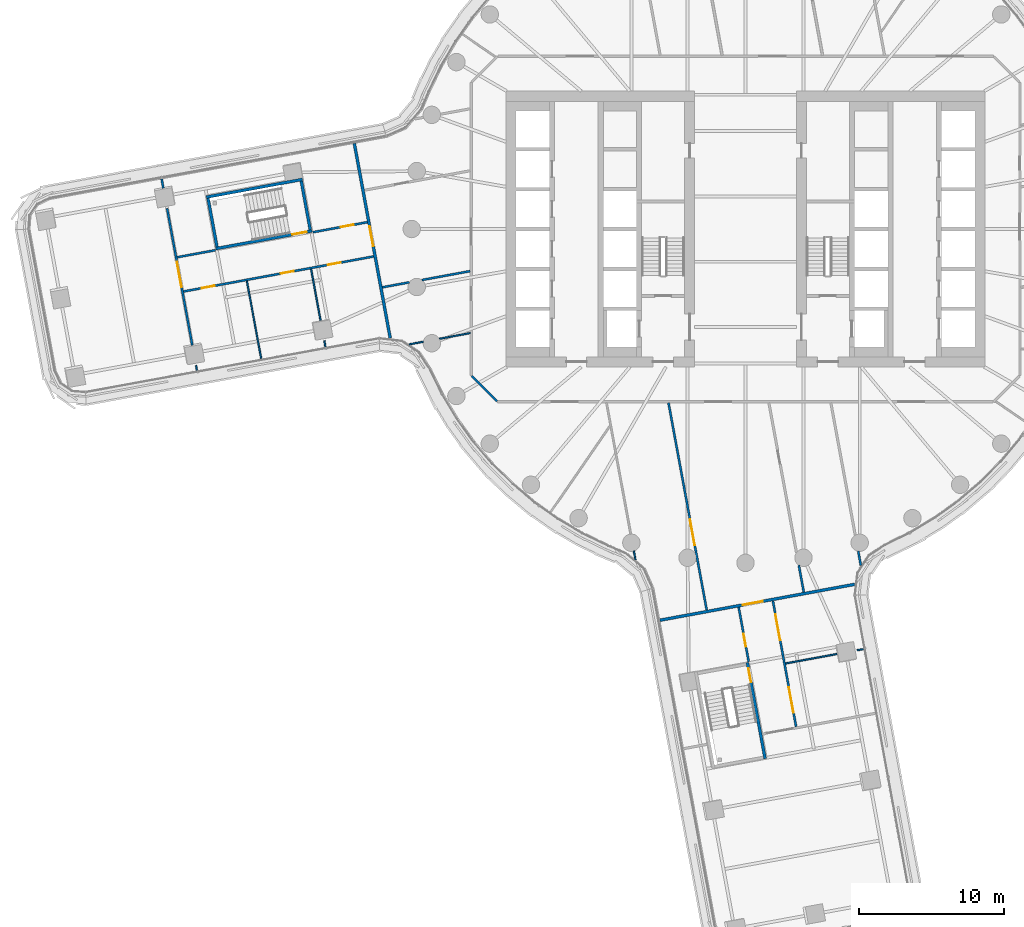
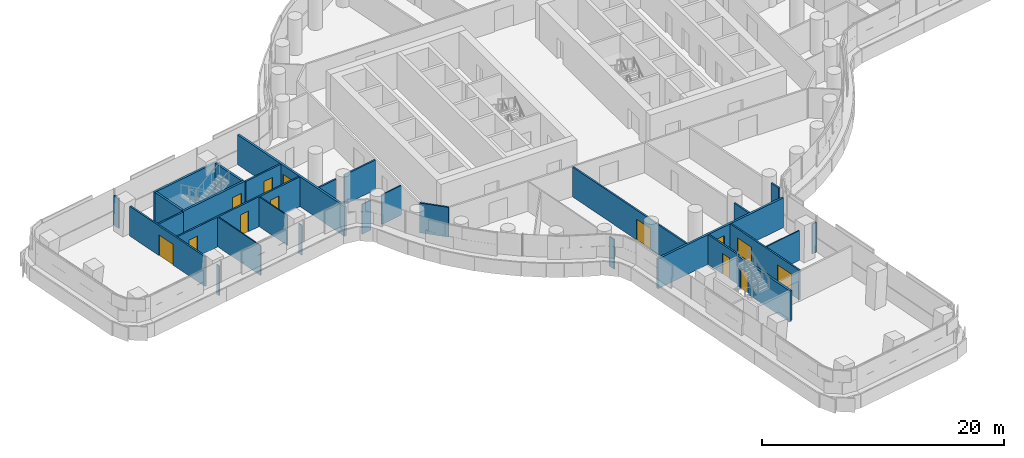
# One storey, part 20 of 33: 29 walls, 13 doors, 13 openings.
"""IFC4 building model written with IfcOpenShell, lengths in metres."""

from ifc_helpers import new_model, si_unit, direction, frame, frame_2d, origin, place, context, subcontext, project, spatial, polyline, rectangle, outline, extrude, material, layer, layer_set, type_object, element, fill, save


model = new_model("IFC4")

# Units and contexts
model_context = context("Model", 3, precision=1e-05, world=origin(), true_north=direction((0.0, 1.0)))
body_context = subcontext(model_context, "Body", "Model", "MODEL_VIEW")
ifc_project = project(units=[si_unit("LENGTHUNIT", "METRE"), si_unit("AREAUNIT", "SQUARE_METRE"), si_unit("VOLUMEUNIT", "CUBIC_METRE"), si_unit("PLANEANGLEUNIT", "RADIAN"), si_unit("MASSUNIT", "GRAM", prefix="KILO")], contexts=[model_context])

# Site, building, storey
site_placement = place(None, origin())
site = spatial("IfcSite", under=ifc_project, at=site_placement, CompositionType="ELEMENT")
building_placement = place(site_placement, origin())
building = spatial("IfcBuilding", under=site, at=building_placement, Name="Tamarind Cross Interchange Tower", CompositionType="ELEMENT")
storey_placement = place(building_placement, frame((0.0, 0.0, 71.5)))
storey = spatial("IfcBuildingStorey", under=building, at=storey_placement, Name="L16", CompositionType="ELEMENT", Elevation=71.5)

# Walls
ifc_material_1 = material(Name="Gypsum board partition on steel studs", Category="steel")
ifc_layer_1 = layer(ifc_material_1, 0.10009765625)
ifc_layer_set_1 = layer_set([ifc_layer_1], Name="Gypsum board partition on steel studs")
wall_type_1 = type_object("IfcWallType", Name="Partition 100 mm EI 90", PredefinedType="PARTITIONING", material=ifc_layer_set_1)
wall_1_placement = place(storey_placement, frame((-37.85791015625, -9.400390625, 0.0), z_axis=(0.0, 0.0, 1.0), x_axis=(0.181472778981, -0.98339596831, 0.0)))
element("IfcWall", 1, at=wall_1_placement, inside=storey, type_object=wall_type_1, Name="Partition L16-003", PredefinedType="PARTITIONING", context=body_context, shape_type="SweptSolid", body=[
    extrude(rectangle(XDim=0.34033203125, YDim=0.10009765625, at=frame_2d((0.170166015625, 0.0))), origin(), (0.0, 0.0, 1.0), 3.010009765625),
])
wall_2_placement = place(storey_placement, frame((-34.3564453125, -3.57470703125, 0.0), z_axis=(0.0, 0.0, 1.0), x_axis=(0.181301776805, -0.983427509137, 0.0)))
element("IfcWall", 2, at=wall_2_placement, inside=storey, type_object=wall_type_1, Name="Partition L16-004", PredefinedType="PARTITIONING", context=body_context, shape_type="SweptSolid", body=[
    extrude(rectangle(XDim=5.440185546875, YDim=0.10009765625, at=frame_2d((2.72021484375, 0.0))), origin(), (0.0, 0.0, 1.0), 3.010009765625),
])
wall_3_placement = place(storey_placement, frame((-29.931396484375, -2.7587890625, 0.0), z_axis=(0.0, 0.0, 1.0), x_axis=(0.181488912805, -0.983392990889, 0.0)))
element("IfcWall", 3, at=wall_3_placement, inside=storey, type_object=wall_type_1, Name="Partition L16-005", PredefinedType="PARTITIONING", context=body_context, shape_type="SweptSolid", body=[
    extrude(rectangle(XDim=3.59716796875, YDim=0.10009765625, at=frame_2d((1.798583984375, 0.0))), origin(), (0.0, 0.0, 1.0), 3.010009765625),
])
wall_4_placement = place(storey_placement, frame((-29.02197265625, -7.6875, 0.0), z_axis=(0.0, 0.0, 1.0), x_axis=(0.181706497485, -0.983352809917, 0.0)))
element("IfcWall", 4, at=wall_4_placement, inside=storey, type_object=wall_type_1, Name="Partition L16-006", PredefinedType="PARTITIONING", context=body_context, shape_type="SweptSolid", body=[
    extrude(rectangle(XDim=0.43408203125, YDim=0.10009765625, at=frame_2d((0.217041015625, 0.0))), origin(), (0.0, 0.0, 1.0), 3.010009765625),
])
wall_5_placement = place(storey_placement, frame((-7.695068359375, -22.177001953125, 0.0), z_axis=(0.0, 0.0, 1.0), x_axis=(0.18134264325, -0.983419974242, 0.0)))
element("IfcWall", 5, at=wall_5_placement, inside=storey, type_object=wall_type_1, Name="Partition L16-009", PredefinedType="PARTITIONING", context=body_context, shape_type="SweptSolid", body=[
    extrude(rectangle(XDim=0.62060546875, YDim=0.10009765625, at=frame_2d((0.310302734375, 0.0))), origin(), (0.0, 0.0, 1.0), 3.010009765625),
])
wall_6_placement = place(storey_placement, frame((-23.169189453125, -7.94384765625, 0.0), z_axis=(0.0, 0.0, 1.0), x_axis=(0.983393015188, 0.181488781138, 0.0)))
element("IfcWall", 6, at=wall_6_placement, inside=storey, type_object=wall_type_1, Name="Partition L16-047", PredefinedType="PARTITIONING", context=body_context, shape_type="SweptSolid", body=[
    extrude(rectangle(XDim=0.989990234375, YDim=0.10009765625, at=frame_2d((0.4951171875, 0.0))), origin(), (0.0, 0.0, 1.0), 3.010009765625),
])
wall_7_placement = place(storey_placement, frame((-21.086669921875, -7.5595703125, 0.0), z_axis=(0.0, 0.0, 1.0), x_axis=(0.983393076066, 0.181488451272, 0.0)))
element("IfcWall", 7, at=wall_7_placement, inside=storey, type_object=wall_type_1, Name="Partition L16-048", PredefinedType="PARTITIONING", context=body_context, shape_type="SweptSolid", body=[
    extrude(rectangle(XDim=2.153564453125, YDim=0.10009765625, at=frame_2d((1.07666015625, 0.0))), origin(), (0.0, 0.0, 1.0), 3.010009765625),
])
wall_8_placement = place(storey_placement, frame((2.7587890625, -29.931396484375, 0.0), z_axis=(0.0, 0.0, 1.0), x_axis=(0.983392990889, 0.181488912805, 0.0)))
element("IfcWall", 8, at=wall_8_placement, inside=storey, type_object=wall_type_1, Name="Partition L16-059", PredefinedType="PARTITIONING", context=body_context, shape_type="SweptSolid", body=[
    extrude(rectangle(XDim=3.59716796875, YDim=0.10009765625, at=frame_2d((1.798583984375, 0.0))), origin(), (0.0, 0.0, 1.0), 3.010009765625),
])
wall_9_placement = place(storey_placement, frame((7.6875, -29.02197265625, 0.0), z_axis=(0.0, 0.0, 1.0), x_axis=(0.983352809917, 0.181706497485, 0.0)))
element("IfcWall", 9, at=wall_9_placement, inside=storey, type_object=wall_type_1, Name="Partition L16-060", PredefinedType="PARTITIONING", context=body_context, shape_type="SweptSolid", body=[
    extrude(rectangle(XDim=0.43408203125, YDim=0.10009765625, at=frame_2d((0.217041015625, 0.0))), origin(), (0.0, 0.0, 1.0), 3.010009765625),
])
ifc_layer_2 = layer(ifc_material_1, 0.14990234375)
ifc_layer_set_2 = layer_set([ifc_layer_2], Name="Gypsum board partition on steel studs")
wall_type_2 = type_object("IfcWallType", Name="Partition 150 mm EI 120", PredefinedType="PARTITIONING", material=ifc_layer_set_2)
wall_10_placement = place(storey_placement, frame((-40.227783203125, 3.45068359375, 0.0), z_axis=(0.0, 0.0, 1.0), x_axis=(0.181412529081, -0.983407084728, 0.0)))
element("IfcWall", 10, at=wall_10_placement, inside=storey, type_object=wall_type_2, Name="Partition L16-001", PredefinedType="PARTITIONING", context=body_context, shape_type="SweptSolid", body=[
    extrude(rectangle(XDim=0.64599609375, YDim=0.14990234375, at=frame_2d((0.322998046875, 0.0))), origin(), (0.0, 0.0, 1.0), 3.010009765625),
])

# Wall, opening, door
wall_11_placement = place(storey_placement, frame((-39.85400390625, 1.42431640625, 0.0), z_axis=(0.0, 0.0, 1.0), x_axis=(0.181341865432, -0.983420117672, 0.0)))
wall_11 = element("IfcWall", 11, at=wall_11_placement, inside=storey, type_object=wall_type_2, Name="Partition L16-002", PredefinedType="PARTITIONING", context=body_context, shape_type="SweptSolid", body=[
    extrude(rectangle(XDim=9.59228515625, YDim=0.14990234375, at=frame_2d((4.796142578125, 0.0))), origin(), (0.0, 0.0, 1.0), 3.010009765625),
])
opening_1_placement = place(wall_11_placement, frame((3.73828125, 0.0, 0.0)))
opening_1 = element("IfcOpeningElement", 12, at=opening_1_placement, cuts=wall_11, Name="Opening D01", PredefinedType="OPENING", context=body_context, shape_type="SweptSolid", body=[
    extrude(rectangle(XDim=1.800048828125, YDim=2.10009765625, at=frame_2d((0.89990234375, 1.050048828125))), frame((0.0, 0.0849609375, 0.0), z_axis=(0.0, -1.0, 0.0), x_axis=(1.0, 0.0, 0.0)), (0.0, 0.0, 1.0), 0.169921875),
])
ifc_material_2 = material(Name="Fire-resisting door set")
door_type_1 = type_object("IfcDoorType", Name="Interior door 1800 x 2100 FD60S", OperationType="DOUBLE_DOOR_SINGLE_SWING", PredefinedType="DOOR", material=ifc_material_2)
door_1_placement = place(opening_1_placement, origin())
door_1 = element("IfcDoor", 13, at=door_1_placement, inside=storey, type_object=door_type_1, Name="Door D01", OperationType="DOUBLE_DOOR_SINGLE_SWING", OverallHeight=2.10009765625, OverallWidth=1.800048828125, PredefinedType="DOOR", context=body_context, shape_type="SweptSolid", body=[
    extrude(rectangle(XDim=1.800048828125, YDim=2.10009765625, at=frame_2d((0.89990234375, 1.050048828125))), frame((0.0, 0.02490234375, 0.0), z_axis=(0.0, -1.0, 0.0), x_axis=(1.0, 0.0, 0.0)), (0.0, 0.0, 1.0), 0.050048828125),
])
fill(opening_1, door_1)

wall_12_placement = place(storey_placement, frame((-5.307373046875, -11.96875, 0.0), z_axis=(0.0, 0.0, 1.0), x_axis=(0.181322879847, -0.983423618409, 0.0)))
wall_12 = element("IfcWall", 14, at=wall_12_placement, inside=storey, type_object=wall_type_2, Name="Partition L16-013", PredefinedType="PARTITIONING", context=body_context, shape_type="SweptSolid", body=[
    extrude(rectangle(XDim=14.522705078125, YDim=0.14990234375, at=frame_2d((7.26123046875, 0.0))), origin(), (0.0, 0.0, 1.0), 3.010009765625),
])
opening_2_placement = place(wall_12_placement, frame((8.179931640625, 0.0, 0.0)))
opening_2 = element("IfcOpeningElement", 15, at=opening_2_placement, cuts=wall_12, Name="Opening D03", PredefinedType="OPENING", context=body_context, shape_type="SweptSolid", body=[
    extrude(rectangle(XDim=1.800048828125, YDim=2.10009765625, at=frame_2d((0.89990234375, 1.050048828125))), frame((0.0, 0.0849609375, 0.0), z_axis=(0.0, -1.0, 0.0), x_axis=(1.0, 0.0, 0.0)), (0.0, 0.0, 1.0), 0.169921875),
])
door_2_placement = place(opening_2_placement, frame((1.800048828125, 0.0, 0.0), z_axis=(0.0, 0.0, 1.0), x_axis=(-1.0, 0.0, 0.0)))
door_2 = element("IfcDoor", 16, at=door_2_placement, inside=storey, type_object=door_type_1, Name="Door D03", OperationType="DOUBLE_DOOR_SINGLE_SWING", OverallHeight=2.10009765625, OverallWidth=1.800048828125, PredefinedType="DOOR", context=body_context, shape_type="SweptSolid", body=[
    extrude(rectangle(XDim=1.800048828125, YDim=2.10009765625, at=frame_2d((0.89990234375, 1.050048828125))), frame((0.0, 0.02490234375, 0.0), z_axis=(0.0, -1.0, 0.0), x_axis=(1.0, 0.0, 0.0)), (0.0, 0.0, 1.0), 0.050048828125),
])
fill(opening_2, door_2)

wall_13_placement = place(storey_placement, frame((-0.472900390625, -26.05322265625, 0.0), z_axis=(0.0, 0.0, 1.0), x_axis=(0.181424012599, -0.983404966254, 0.0)))
wall_13 = element("IfcWall", 17, at=wall_13_placement, inside=storey, type_object=wall_type_2, Name="Partition L16-019", PredefinedType="PARTITIONING", context=body_context, shape_type="SweptSolid", body=[
    extrude(rectangle(XDim=3.824462890625, YDim=0.14990234375, at=frame_2d((1.912109375, 0.0))), origin(), (0.0, 0.0, 1.0), 3.010009765625),
])
opening_3_placement = place(wall_13_placement, frame((1.85009765625, 0.0, 0.0)))
opening_3 = element("IfcOpeningElement", 18, at=opening_3_placement, cuts=wall_13, Name="Opening D09", PredefinedType="OPENING", context=body_context, shape_type="SweptSolid", body=[
    extrude(rectangle(XDim=0.89990234375, YDim=2.10009765625, at=frame_2d((0.449951171875, 1.050048828125))), frame((0.0, 0.0849609375, 0.0), z_axis=(0.0, -1.0, 0.0), x_axis=(1.0, 0.0, 0.0)), (0.0, 0.0, 1.0), 0.169921875),
])
door_type_2 = type_object("IfcDoorType", Name="Interior door 900 x 2100 FD60S", OperationType="SINGLE_SWING_LEFT", PredefinedType="DOOR", material=ifc_material_2)
door_3_placement = place(opening_3_placement, frame((0.89990234375, 0.0, 0.0), z_axis=(0.0, 0.0, 1.0), x_axis=(-1.0, 0.0, 0.0)))
door_3 = element("IfcDoor", 19, at=door_3_placement, inside=storey, type_object=door_type_2, Name="Door D09", OperationType="SINGLE_SWING_RIGHT", OverallHeight=2.10009765625, OverallWidth=0.89990234375, PredefinedType="DOOR", context=body_context, shape_type="SweptSolid", body=[
    extrude(rectangle(XDim=0.89990234375, YDim=2.10009765625, at=frame_2d((0.449951171875, 1.050048828125))), frame((0.0, 0.02490234375, 0.0), z_axis=(0.0, -1.0, 0.0), x_axis=(1.0, 0.0, 0.0)), (0.0, 0.0, 1.0), 0.050048828125),
])
fill(opening_3, door_3)

# Wall
wall_14_placement = place(storey_placement, frame((3.671875, -23.161865234375, 0.0), z_axis=(0.0, 0.0, 1.0), x_axis=(0.181372706015, -0.983414430194, 0.0)))
element("IfcWall", 20, at=wall_14_placement, inside=storey, type_object=wall_type_2, Name="Partition L16-021", PredefinedType="PARTITIONING", context=body_context, shape_type="SweptSolid", body=[
    extrude(rectangle(XDim=1.89111328125, YDim=0.14990234375, at=frame_2d((0.945556640625, 0.0))), origin(), (0.0, 0.0, 1.0), 3.010009765625),
])

# Wall, openings, doors
wall_15_placement = place(storey_placement, frame((1.887939453125, -25.622314453125, 0.0), z_axis=(0.0, 0.0, 1.0), x_axis=(0.181351342981, -0.983418369972, 0.0)))
wall_15 = element("IfcWall", 21, at=wall_15_placement, inside=storey, type_object=wall_type_2, Name="Partition L16-022", PredefinedType="PARTITIONING", context=body_context, shape_type="SweptSolid", body=[
    extrude(rectangle(XDim=8.815185546875, YDim=0.14990234375, at=frame_2d((4.40771484375, 0.0))), origin(), (0.0, 0.0, 1.0), 3.010009765625),
])
opening_4_placement = place(wall_15_placement, frame((6.045654296875, 0.0, 0.0)))
opening_4 = element("IfcOpeningElement", 22, at=opening_4_placement, cuts=wall_15, Name="Opening D11", PredefinedType="OPENING", context=body_context, shape_type="SweptSolid", body=[
    extrude(rectangle(XDim=1.800048828125, YDim=2.10009765625, at=frame_2d((0.89990234375, 1.050048828125))), frame((0.0, 0.0849609375, 0.0), z_axis=(0.0, -1.0, 0.0), x_axis=(1.0, 0.0, 0.0)), (0.0, 0.0, 1.0), 0.169921875),
])
opening_5_placement = place(wall_15_placement, frame((0.945068359375, 0.0, 0.0)))
opening_5 = element("IfcOpeningElement", 23, at=opening_5_placement, cuts=wall_15, Name="Opening D12", PredefinedType="OPENING", context=body_context, shape_type="SweptSolid", body=[
    extrude(rectangle(XDim=1.800048828125, YDim=2.10009765625, at=frame_2d((0.89990234375, 1.050048828125))), frame((0.0, 0.0849609375, 0.0), z_axis=(0.0, -1.0, 0.0), x_axis=(1.0, 0.0, 0.0)), (0.0, 0.0, 1.0), 0.169921875),
])
door_4_placement = place(opening_4_placement, origin())
door_4 = element("IfcDoor", 24, at=door_4_placement, inside=storey, type_object=door_type_1, Name="Door D11", OperationType="DOUBLE_DOOR_SINGLE_SWING", OverallHeight=2.10009765625, OverallWidth=1.800048828125, PredefinedType="DOOR", context=body_context, shape_type="SweptSolid", body=[
    extrude(rectangle(XDim=1.800048828125, YDim=2.10009765625, at=frame_2d((0.89990234375, 1.050048828125))), frame((0.0, 0.02490234375, 0.0), z_axis=(0.0, -1.0, 0.0), x_axis=(1.0, 0.0, 0.0)), (0.0, 0.0, 1.0), 0.050048828125),
])
fill(opening_4, door_4)
door_5_placement = place(opening_5_placement, origin())
door_5 = element("IfcDoor", 25, at=door_5_placement, inside=storey, type_object=door_type_1, Name="Door D12", OperationType="DOUBLE_DOOR_SINGLE_SWING", OverallHeight=2.10009765625, OverallWidth=1.800048828125, PredefinedType="DOOR", context=body_context, shape_type="SweptSolid", body=[
    extrude(rectangle(XDim=1.800048828125, YDim=2.10009765625, at=frame_2d((0.89990234375, 1.050048828125))), frame((0.0, 0.02490234375, 0.0), z_axis=(0.0, -1.0, 0.0), x_axis=(1.0, 0.0, 0.0)), (0.0, 0.0, 1.0), 0.050048828125),
])
fill(opening_5, door_5)

# Walls
wall_16_placement = place(storey_placement, frame((7.764404296875, -22.195556640625, 0.0), z_axis=(0.0, 0.0, 1.0), x_axis=(0.181250299278, -0.983436997988, 0.0)))
element("IfcWall", 26, at=wall_16_placement, inside=storey, type_object=wall_type_2, Name="Partition L16-026", PredefinedType="PARTITIONING", context=body_context, shape_type="SweptSolid", body=[
    extrude(rectangle(XDim=0.989990234375, YDim=0.14990234375, at=frame_2d((0.4951171875, 0.0))), origin(), (0.0, 0.0, 1.0), 3.010009765625),
])
wall_17_placement = place(storey_placement, frame((-18.87158203125, -10.12841796875, 0.0), z_axis=(0.0, 0.0, 1.0), x_axis=(0.707106781187, -0.707106781187, 0.0)))
element("IfcWall", 27, at=wall_17_placement, inside=storey, type_object=wall_type_2, Name="Partition L16-035", PredefinedType="PARTITIONING", context=body_context, shape_type="SweptSolid", body=[
    extrude(rectangle(XDim=2.465087890625, YDim=0.14990234375, at=frame_2d((1.232421875, 0.0))), origin(), (0.0, 0.0, 1.0), 3.010009765625),
])
wall_18_placement = place(storey_placement, frame((-39.15234375, -1.9423828125, 0.0), z_axis=(0.0, 0.0, 1.0), x_axis=(0.98341943496, 0.181345567751, 0.0)))
element("IfcWall", 28, at=wall_18_placement, inside=storey, type_object=wall_type_2, Name="Partition L16-041", PredefinedType="PARTITIONING", context=body_context, shape_type="SweptSolid", body=[
    extrude(rectangle(XDim=2.680419921875, YDim=0.14990234375, at=frame_2d((1.34033203125, 0.0))), origin(), (0.0, 0.0, 1.0), 3.010009765625),
])

# Wall, opening, door
wall_19_placement = place(storey_placement, frame((-29.814208984375, -0.220703125, 0.0), z_axis=(0.0, 0.0, 1.0), x_axis=(0.983416353769, 0.181362275953, 0.0)))
wall_19 = element("IfcWall", 29, at=wall_19_placement, inside=storey, type_object=wall_type_2, Name="Partition L16-042", PredefinedType="PARTITIONING", context=body_context, shape_type="SweptSolid", body=[
    extrude(rectangle(XDim=3.824462890625, YDim=0.14990234375, at=frame_2d((1.912109375, 0.0))), origin(), (0.0, 0.0, 1.0), 3.010009765625),
])
opening_6_placement = place(wall_19_placement, frame((1.949951171875, 0.0, 0.0)))
opening_6 = element("IfcOpeningElement", 30, at=opening_6_placement, cuts=wall_19, Name="Opening D22", PredefinedType="OPENING", context=body_context, shape_type="SweptSolid", body=[
    extrude(rectangle(XDim=0.89990234375, YDim=2.10009765625, at=frame_2d((0.449951171875, 1.050048828125))), frame((0.0, 0.0849609375, 0.0), z_axis=(0.0, -1.0, 0.0), x_axis=(1.0, 0.0, 0.0)), (0.0, 0.0, 1.0), 0.169921875),
])
door_6_placement = place(opening_6_placement, origin())
door_6 = element("IfcDoor", 31, at=door_6_placement, inside=storey, type_object=door_type_2, Name="Door D22", OperationType="SINGLE_SWING_LEFT", OverallHeight=2.10009765625, OverallWidth=0.89990234375, PredefinedType="DOOR", context=body_context, shape_type="SweptSolid", body=[
    extrude(rectangle(XDim=0.89990234375, YDim=2.10009765625, at=frame_2d((0.449951171875, 1.050048828125))), frame((0.0, 0.02490234375, 0.0), z_axis=(0.0, -1.0, 0.0), x_axis=(1.0, 0.0, 0.0)), (0.0, 0.0, 1.0), 0.050048828125),
])
fill(opening_6, door_6)

# Wall, openings, doors
wall_20_placement = place(storey_placement, frame((-38.71728515625, -4.302490234375, 0.0), z_axis=(0.0, 0.0, 1.0), x_axis=(0.983425410758, 0.181313158584, 0.0)))
wall_20 = element("IfcWall", 32, at=wall_20_placement, inside=storey, type_object=wall_type_2, Name="Partition L16-043", PredefinedType="PARTITIONING", context=body_context, shape_type="SweptSolid", body=[
    extrude(rectangle(XDim=13.315673828125, YDim=0.14990234375, at=frame_2d((6.65771484375, 0.0))), origin(), (0.0, 0.0, 1.0), 3.010009765625),
])
opening_7_placement = place(wall_20_placement, frame((10.1201171875, 0.0, 0.0)))
opening_7 = element("IfcOpeningElement", 33, at=opening_7_placement, cuts=wall_20, Name="Opening D23", PredefinedType="OPENING", context=body_context, shape_type="SweptSolid", body=[
    extrude(rectangle(XDim=0.89990234375, YDim=2.10009765625, at=frame_2d((0.449951171875, 1.050048828125))), frame((0.0, 0.0849609375, 0.0), z_axis=(0.0, -1.0, 0.0), x_axis=(1.0, 0.0, 0.0)), (0.0, 0.0, 1.0), 0.169921875),
])
opening_8_placement = place(wall_20_placement, frame((6.820556640625, 0.0, 0.0)))
opening_8 = element("IfcOpeningElement", 34, at=opening_8_placement, cuts=wall_20, Name="Opening D24", PredefinedType="OPENING", context=body_context, shape_type="SweptSolid", body=[
    extrude(rectangle(XDim=0.89990234375, YDim=2.10009765625, at=frame_2d((0.449951171875, 1.050048828125))), frame((0.0, 0.0849609375, 0.0), z_axis=(0.0, -1.0, 0.0), x_axis=(1.0, 0.0, 0.0)), (0.0, 0.0, 1.0), 0.169921875),
])
opening_9_placement = place(wall_20_placement, frame((1.27001953125, 0.0, 0.0)))
opening_9 = element("IfcOpeningElement", 35, at=opening_9_placement, cuts=wall_20, Name="Opening D25", PredefinedType="OPENING", context=body_context, shape_type="SweptSolid", body=[
    extrude(rectangle(XDim=0.89990234375, YDim=2.10009765625, at=frame_2d((0.449951171875, 1.050048828125))), frame((0.0, 0.0849609375, 0.0), z_axis=(0.0, -1.0, 0.0), x_axis=(1.0, 0.0, 0.0)), (0.0, 0.0, 1.0), 0.169921875),
])
door_7_placement = place(opening_7_placement, frame((0.89990234375, 0.0, 0.0), z_axis=(0.0, 0.0, 1.0), x_axis=(-1.0, 0.0, 0.0)))
door_7 = element("IfcDoor", 36, at=door_7_placement, inside=storey, type_object=door_type_2, Name="Door D23", OperationType="SINGLE_SWING_RIGHT", OverallHeight=2.10009765625, OverallWidth=0.89990234375, PredefinedType="DOOR", context=body_context, shape_type="SweptSolid", body=[
    extrude(rectangle(XDim=0.89990234375, YDim=2.10009765625, at=frame_2d((0.449951171875, 1.050048828125))), frame((0.0, 0.02490234375, 0.0), z_axis=(0.0, -1.0, 0.0), x_axis=(1.0, 0.0, 0.0)), (0.0, 0.0, 1.0), 0.050048828125),
])
fill(opening_7, door_7)
door_8_placement = place(opening_8_placement, frame((0.89990234375, 0.0, 0.0), z_axis=(0.0, 0.0, 1.0), x_axis=(-1.0, 0.0, 0.0)))
door_8 = element("IfcDoor", 37, at=door_8_placement, inside=storey, type_object=door_type_2, Name="Door D24", OperationType="SINGLE_SWING_RIGHT", OverallHeight=2.10009765625, OverallWidth=0.89990234375, PredefinedType="DOOR", context=body_context, shape_type="SweptSolid", body=[
    extrude(rectangle(XDim=0.89990234375, YDim=2.10009765625, at=frame_2d((0.449951171875, 1.050048828125))), frame((0.0, 0.02490234375, 0.0), z_axis=(0.0, -1.0, 0.0), x_axis=(1.0, 0.0, 0.0)), (0.0, 0.0, 1.0), 0.050048828125),
])
fill(opening_8, door_8)
door_9_placement = place(opening_9_placement, frame((0.89990234375, 0.0, 0.0), z_axis=(0.0, 0.0, 1.0), x_axis=(-1.0, 0.0, 0.0)))
door_9 = element("IfcDoor", 38, at=door_9_placement, inside=storey, type_object=door_type_2, Name="Door D25", OperationType="SINGLE_SWING_LEFT", OverallHeight=2.10009765625, OverallWidth=0.89990234375, PredefinedType="DOOR", context=body_context, shape_type="SweptSolid", body=[
    extrude(rectangle(XDim=0.89990234375, YDim=2.10009765625, at=frame_2d((0.449951171875, 1.050048828125))), frame((0.0, 0.02490234375, 0.0), z_axis=(0.0, -1.0, 0.0), x_axis=(1.0, 0.0, 0.0)), (0.0, 0.0, 1.0), 0.050048828125),
])
fill(opening_9, door_9)

# Walls
wall_21_placement = place(storey_placement, frame((-25.021728515625, -4.014892578125, 0.0), z_axis=(0.0, 0.0, 1.0), x_axis=(0.983414430194, 0.181372706015, 0.0)))
element("IfcWall", 39, at=wall_21_placement, inside=storey, type_object=wall_type_2, Name="Partition L16-045", PredefinedType="PARTITIONING", context=body_context, shape_type="SweptSolid", body=[
    extrude(rectangle(XDim=1.89111328125, YDim=0.14990234375, at=frame_2d((0.945556640625, 0.0))), origin(), (0.0, 0.0, 1.0), 3.010009765625),
])
wall_22_placement = place(storey_placement, frame((-22.298583984375, -3.5126953125, 0.0), z_axis=(0.0, 0.0, 1.0), x_axis=(0.983420380574, 0.181340439705, 0.0)))
element("IfcWall", 40, at=wall_22_placement, inside=storey, type_object=wall_type_2, Name="Partition L16-046", PredefinedType="PARTITIONING", context=body_context, shape_type="SweptSolid", body=[
    extrude(rectangle(XDim=3.385986328125, YDim=0.14990234375, at=frame_2d((1.69287109375, 0.0))), origin(), (0.0, 0.0, 1.0), 3.010009765625),
])

# Wall, opening, door
ifc_layer_3 = layer(ifc_material_1, 0.199951171875)
ifc_layer_set_3 = layer_set([ifc_layer_3], Name="Gypsum board partition on steel studs")
wall_type_3 = type_object("IfcWallType", Name="Partition 200 mm EI 180", PredefinedType="PARTITIONING", material=ifc_layer_set_3)
wall_23_placement = place(storey_placement, frame((-26.951904296875, 5.898681640625, 0.0), z_axis=(0.0, 0.0, 1.0), x_axis=(0.181274427403, -0.983432550798, 0.0)))
wall_23 = element("IfcWall", 41, at=wall_23_placement, inside=storey, type_object=wall_type_3, Name="Partition L16-007", PredefinedType="PARTITIONING", context=body_context, shape_type="SweptSolid", body=[
    extrude(rectangle(XDim=13.6484375, YDim=0.199951171875, at=frame_2d((6.82421875, 0.0))), origin(), (0.0, 0.0, 1.0), 3.010009765625),
])
opening_10_placement = place(wall_23_placement, frame((5.798828125, 0.0, 0.0)))
opening_10 = element("IfcOpeningElement", 42, at=opening_10_placement, cuts=wall_23, Name="Opening D02", PredefinedType="OPENING", context=body_context, shape_type="SweptSolid", body=[
    extrude(rectangle(XDim=1.39990234375, YDim=2.10009765625, at=frame_2d((0.699951171875, 1.050048828125))), frame((0.0, 0.10986328125, 0.0), z_axis=(0.0, -1.0, 0.0), x_axis=(1.0, 0.0, 0.0)), (0.0, 0.0, 1.0), 0.219970703125),
])
door_type_3 = type_object("IfcDoorType", Name="Interior door 1400 x 2100 FD120S", OperationType="DOUBLE_DOOR_SINGLE_SWING", PredefinedType="DOOR", material=ifc_material_2)
door_10_placement = place(opening_10_placement, origin())
door_10 = element("IfcDoor", 43, at=door_10_placement, inside=storey, type_object=door_type_3, Name="Door D02", OperationType="DOUBLE_DOOR_SINGLE_SWING", OverallHeight=2.10009765625, OverallWidth=1.39990234375, PredefinedType="DOOR", context=body_context, shape_type="SweptSolid", body=[
    extrude(rectangle(XDim=1.39990234375, YDim=2.10009765625, at=frame_2d((0.699951171875, 1.050048828125))), frame((0.0, 0.02490234375, 0.0), z_axis=(0.0, -1.0, 0.0), x_axis=(1.0, 0.0, 0.0)), (0.0, 0.0, 1.0), 0.050048828125),
])
fill(opening_10, door_10)

wall_24_placement = place(storey_placement, frame((-5.898681640625, -26.951904296875, 0.0), z_axis=(0.0, 0.0, 1.0), x_axis=(0.983432550798, 0.181274427403, 0.0)))
wall_24 = element("IfcWall", 44, at=wall_24_placement, inside=storey, type_object=wall_type_3, Name="Partition L16-054", PredefinedType="PARTITIONING", context=body_context, shape_type="SweptSolid", body=[
    extrude(rectangle(XDim=13.6484375, YDim=0.199951171875, at=frame_2d((6.82421875, 0.0))), origin(), (0.0, 0.0, 1.0), 3.010009765625),
])
opening_11_placement = place(wall_24_placement, frame((5.798828125, 0.0, 0.0)))
opening_11 = element("IfcOpeningElement", 45, at=opening_11_placement, cuts=wall_24, Name="Opening D30", PredefinedType="OPENING", context=body_context, shape_type="SweptSolid", body=[
    extrude(rectangle(XDim=1.39990234375, YDim=2.10009765625, at=frame_2d((0.699951171875, 1.050048828125))), frame((0.0, 0.10986328125, 0.0), z_axis=(0.0, -1.0, 0.0), x_axis=(1.0, 0.0, 0.0)), (0.0, 0.0, 1.0), 0.219970703125),
])
door_11_placement = place(opening_11_placement, origin())
door_11 = element("IfcDoor", 46, at=door_11_placement, inside=storey, type_object=door_type_3, Name="Door D30", OperationType="DOUBLE_DOOR_SINGLE_SWING", OverallHeight=2.10009765625, OverallWidth=1.39990234375, PredefinedType="DOOR", context=body_context, shape_type="SweptSolid", body=[
    extrude(rectangle(XDim=1.39990234375, YDim=2.10009765625, at=frame_2d((0.699951171875, 1.050048828125))), frame((0.0, 0.02490234375, 0.0), z_axis=(0.0, -1.0, 0.0), x_axis=(1.0, 0.0, 0.0)), (0.0, 0.0, 1.0), 0.050048828125),
])
fill(opening_11, door_11)

ifc_material_3 = material(Name="Concrete C40", Category="concrete")
ifc_layer_4 = layer(ifc_material_3, 0.199951171875)
ifc_layer_set_4 = layer_set([ifc_layer_4], Name="Concrete C40")
wall_type_4 = type_object("IfcWallType", Name="Stair shaft wall 200 mm Concrete C40", PredefinedType="SHEAR", material=ifc_layer_set_4)
wall_25_placement = place(storey_placement, frame((-29.871826171875, -0.129638671875, -0.139892578125), z_axis=(0.0, 0.0, 1.0), x_axis=(-0.983418500329, -0.181350636091, 0.0)))
wall_25 = element("IfcWall", 47, at=wall_25_placement, inside=storey, type_object=wall_type_4, Name="Core wall CWL-L16-ST5-H", PredefinedType="SHEAR", context=body_context, shape_type="SweptSolid", body=[
    extrude(rectangle(XDim=6.735107421875, YDim=0.199951171875, at=frame_2d((3.36767578125, 0.0))), origin(), (0.0, 0.0, 1.0), 3.14990234375),
])
opening_12_placement = place(wall_25_placement, frame((0.38525390625, 0.0, 0.0)))
opening_12 = element("IfcOpeningElement", 48, at=opening_12_placement, cuts=wall_25, Name="Opening ST5L16", PredefinedType="OPENING", context=body_context, shape_type="SweptSolid", body=[
    extrude(rectangle(XDim=1.0, YDim=2.10009765625, at=frame_2d((0.5, 1.050048828125))), frame((0.0, 0.10986328125, 0.0), z_axis=(0.0, -1.0, 0.0), x_axis=(1.0, 0.0, 0.0)), (0.0, 0.0, 1.0), 0.219970703125),
])
ifc_material_4 = material(Name="Steel, fire-resisting", Category="steel")
door_type_4 = type_object("IfcDoorType", Name="Core fire door 1000 x 2100 FD90", OperationType="SINGLE_SWING_LEFT", PredefinedType="DOOR", material=ifc_material_4)
door_12_placement = place(opening_12_placement, origin())
door_12 = element("IfcDoor", 49, at=door_12_placement, inside=storey, type_object=door_type_4, Name="L16 stair door ST5", OperationType="SINGLE_SWING_LEFT", OverallHeight=2.10009765625, OverallWidth=1.0, PredefinedType="DOOR", context=body_context, shape_type="SweptSolid", body=[
    extrude(rectangle(XDim=1.0, YDim=2.10009765625, at=frame_2d((0.5, 1.050048828125))), frame((0.0, 0.02490234375, 0.0), z_axis=(0.0, -1.0, 0.0), x_axis=(1.0, 0.0, 0.0)), (0.0, 0.0, 1.0), 0.050048828125),
])
fill(opening_12, door_12)

# Walls
wall_26_placement = place(storey_placement, frame((-30.5263671875, 3.42041015625, -0.139892578125), z_axis=(0.0, 0.0, 1.0), x_axis=(-0.983424964412, -0.181315579506, 0.0)))
element("IfcWall", 50, at=wall_26_placement, inside=storey, type_object=wall_type_4, Name="Core wall CWL-L16-ST5-C", PredefinedType="SHEAR", context=body_context, shape_type="SweptSolid", body=[
    extrude(rectangle(XDim=6.735107421875, YDim=0.199951171875, at=frame_2d((3.36767578125, 0.0))), origin(), (0.0, 0.0, 1.0), 3.14990234375),
])
wall_27_placement = place(storey_placement, frame((-30.606689453125, 3.303955078125, -0.139892578125), z_axis=(0.0, 0.0, 1.0), x_axis=(0.181361062325, -0.983416577587, 0.0)))
element("IfcWall", 51, at=wall_27_placement, inside=storey, type_object=wall_type_4, Name="Core wall CWL-L16-ST5-CE", PredefinedType="SHEAR", context=body_context, shape_type="SweptSolid", body=[
    extrude(rectangle(XDim=3.409912109375, YDim=0.199951171875, at=frame_2d((1.705078125, 0.0))), origin(), (0.0, 0.0, 1.0), 3.14990234375),
])
wall_28_placement = place(storey_placement, frame((0.0, 0.0, -0.139892578125)))
element("IfcWall", 52, at=wall_28_placement, inside=storey, type_object=wall_type_4, Name="Core wall CWL-L16-ST5-CF", PredefinedType="SHEAR", context=body_context, shape_type="SweptSolid", body=[
    extrude(outline(polyline([(-36.935302734375, 2.136962890625), (-37.1318359375, 2.100830078125), (-36.513427734375, -1.252685546875), (-36.31689453125, -1.21630859375), (-36.935302734375, 2.136962890625)])), origin(), (0.0, 0.0, 1.0), 3.14990234375),
])

# Wall, opening, door
wall_29_placement = place(storey_placement, frame((0.129638671875, -29.871826171875, -0.139892578125), z_axis=(0.0, 0.0, 1.0), x_axis=(0.181350636091, -0.983418500329, 0.0)))
wall_29 = element("IfcWall", 53, at=wall_29_placement, inside=storey, type_object=wall_type_4, Name="Core wall CWL-L16-ST6-H", PredefinedType="SHEAR", context=body_context, shape_type="SweptSolid", body=[
    extrude(rectangle(XDim=6.735107421875, YDim=0.199951171875, at=frame_2d((3.36767578125, 0.0))), origin(), (0.0, 0.0, 1.0), 3.14990234375),
])
opening_13_placement = place(wall_29_placement, frame((0.38525390625, 0.0, 0.0)))
opening_13 = element("IfcOpeningElement", 54, at=opening_13_placement, cuts=wall_29, Name="Opening ST6L16", PredefinedType="OPENING", context=body_context, shape_type="SweptSolid", body=[
    extrude(rectangle(XDim=1.0, YDim=2.10009765625, at=frame_2d((0.5, 1.050048828125))), frame((0.0, 0.10986328125, 0.0), z_axis=(0.0, -1.0, 0.0), x_axis=(1.0, 0.0, 0.0)), (0.0, 0.0, 1.0), 0.219970703125),
])
door_13_placement = place(opening_13_placement, origin())
door_13 = element("IfcDoor", 55, at=door_13_placement, inside=storey, type_object=door_type_4, Name="L16 stair door ST6", OperationType="SINGLE_SWING_LEFT", OverallHeight=2.10009765625, OverallWidth=1.0, PredefinedType="DOOR", context=body_context, shape_type="SweptSolid", body=[
    extrude(rectangle(XDim=1.0, YDim=2.10009765625, at=frame_2d((0.5, 1.050048828125))), frame((0.0, 0.02490234375, 0.0), z_axis=(0.0, -1.0, 0.0), x_axis=(1.0, 0.0, 0.0)), (0.0, 0.0, 1.0), 0.050048828125),
])
fill(opening_13, door_13)

save(model, "model.ifc")
